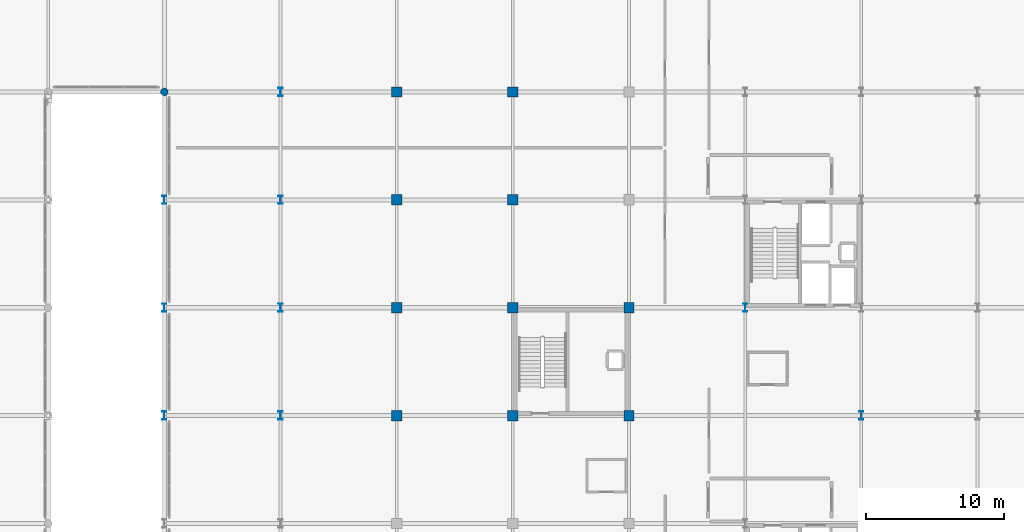
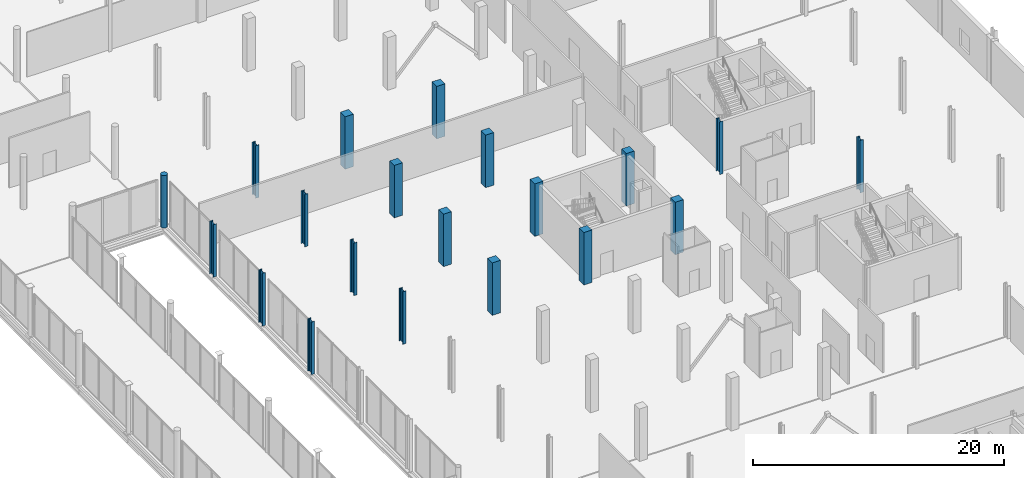
# One storey, part 21 of 105: 20 columns.
"""IFC4 building model written with IfcOpenShell, lengths in metres."""

from ifc_helpers import new_model, si_unit, direction, frame, origin, origin_2d, place, context, subcontext, project, spatial, rectangle, circle, i_section, extrude, material, material_profile, profile_set, type_object, element, save


model = new_model("IFC4")

# Units and contexts
model_context = context("Model", 3, precision=1e-05, world=origin(), true_north=direction((0.0, 1.0)))
body_context = subcontext(model_context, "Body", "Model", "MODEL_VIEW")
ifc_project = project(units=[si_unit("LENGTHUNIT", "METRE"), si_unit("AREAUNIT", "SQUARE_METRE"), si_unit("VOLUMEUNIT", "CUBIC_METRE"), si_unit("PLANEANGLEUNIT", "RADIAN"), si_unit("MASSUNIT", "GRAM", prefix="KILO")], contexts=[model_context])

# Site, building, storey
site_placement = place(None, origin())
site = spatial("IfcSite", under=ifc_project, at=site_placement, CompositionType="ELEMENT")
building_placement = place(site_placement, origin())
building = spatial("IfcBuilding", under=site, at=building_placement, Name="Nabrawat Pavilion Hospital", CompositionType="ELEMENT")
storey_placement = place(building_placement, frame((0.0, 0.0, 5.10009765625)))
storey = spatial("IfcBuildingStorey", under=building, at=storey_placement, Name="L01", CompositionType="ELEMENT", Elevation=5.10009765625)

# Columns
ifc_material_1 = material(Name="Steel S355", Category="steel")
ifc_material_profile_1 = material_profile(ifc_material_1, i_section(OverallWidth=0.300048828125, OverallDepth=0.60009765625, WebThickness=0.015380859375, FlangeThickness=0.030029296875, FilletRadius=0.027099609375, at=origin_2d()), Name="HEB 600")
ifc_profile_set_1 = profile_set([ifc_material_profile_1], Name="Steel S355")
column_type_1 = type_object("IfcColumnType", Name="Composite Steel Column HEB 600", PredefinedType="COLUMN", material=ifc_profile_set_1)
for number, where, z_axis, x_axis, name in (
    (1, (126.0, 62.39990234375, 0.0), (0.0, 0.0, 1.0), (1.0, 0.0, 0.0), "L01 Structural Column G-16A-J"),
    (2, (126.0, 70.199951171875, 0.0), (0.0, 0.0, 1.0), (1.0, 0.0, 0.0), "L01 Structural Column G-16A-K"),
    (3, (126.0, 78.0, 0.0), (0.0, 0.0, 1.0), (1.0, 0.0, 0.0), "L01 Structural Column G-16A-L"),
    (4, (134.39990234375, 62.39990234375, 0.0), (0.0, 0.0, 1.0), (1.0, 0.0, 0.0), "L01 Structural Column G-17-J"),
    (5, (134.39990234375, 70.199951171875, 0.0), (0.0, 0.0, 1.0), (1.0, 0.0, 0.0), "L01 Structural Column G-17-K"),
    (6, (134.39990234375, 78.0, 0.0), (0.0, 0.0, 1.0), (1.0, 0.0, 0.0), "L01 Structural Column G-17-L"),
    (7, (134.39990234375, 85.800048828125, 0.0), (0.0, 0.0, 1.0), (1.0, 0.0, 0.0), "L01 Structural Column G-17-M1"),
    (8, (168.0, 70.199951171875, 0.0), (0.0, 0.0, 1.0), (1.0, 0.0, 0.0), "L01 Structural Column G-21-K"),
    (9, (176.39990234375, 62.39990234375, 0.0), (0.0, 0.0, 1.0), (1.0, 0.0, 0.0), "L01 Structural Column G-22-J"),
):
    element("IfcColumn", number, at=place(storey_placement, frame(where, z_axis=z_axis, x_axis=x_axis)), inside=storey, type_object=column_type_1, Name=name, PredefinedType="COLUMN", context=body_context, shape_type="SweptSolid", body=[
        extrude(i_section(OverallWidth=0.300048828125, OverallDepth=0.60009765625, WebThickness=0.015380859375, FlangeThickness=0.030029296875, FilletRadius=0.027099609375, at=origin_2d()), origin(), (0.0, 0.0, 1.0), 5.099853515625),
    ])
ifc_material_2 = material(Name="Concrete C40/50", Category="concrete")
ifc_material_profile_2 = material_profile(ifc_material_2, circle(Radius=0.27490234375, at=origin_2d()), Name="RC D550")
ifc_profile_set_2 = profile_set([ifc_material_profile_2], Name="Concrete C40/50")
column_type_2 = type_object("IfcColumnType", Name="Diagnostic Circular RC Column D550", PredefinedType="COLUMN", material=ifc_profile_set_2)
column_placement = place(storey_placement, frame((126.0, 85.800048828125, 0.0), z_axis=(0.0, 0.0, 1.0), x_axis=(1.0, 0.0, 0.0)))
element("IfcColumn", 10, at=column_placement, inside=storey, type_object=column_type_2, Name="L01 Structural Column G-16A-M1", PredefinedType="COLUMN", context=body_context, shape_type="SweptSolid", body=[
    extrude(circle(Radius=0.27490234375, at=origin_2d()), origin(), (0.0, 0.0, 1.0), 5.099853515625),
])
ifc_material_profile_3 = material_profile(ifc_material_2, rectangle(XDim=0.75, YDim=0.75, at=origin_2d()), Name="RC 750x750")
ifc_profile_set_3 = profile_set([ifc_material_profile_3], Name="Concrete C40/50")
column_type_3 = type_object("IfcColumnType", Name="Surgical Suite RC Column 750x750", PredefinedType="COLUMN", material=ifc_profile_set_3)
for number, where, z_axis, x_axis, name in (
    (11, (142.800048828125, 62.39990234375, 0.0), (0.0, 0.0, 1.0), (1.0, 0.0, 0.0), "L01 Structural Column G-18-J"),
    (12, (142.800048828125, 70.199951171875, 0.0), (0.0, 0.0, 1.0), (1.0, 0.0, 0.0), "L01 Structural Column G-18-K"),
    (13, (142.800048828125, 78.0, 0.0), (0.0, 0.0, 1.0), (1.0, 0.0, 0.0), "L01 Structural Column G-18-L"),
    (14, (142.800048828125, 85.800048828125, 0.0), (0.0, 0.0, 1.0), (1.0, 0.0, 0.0), "L01 Structural Column G-18-M1"),
    (15, (151.199951171875, 62.39990234375, 0.0), (0.0, 0.0, 1.0), (1.0, 0.0, 0.0), "L01 Structural Column G-19-J"),
    (16, (151.199951171875, 70.199951171875, 0.0), (0.0, 0.0, 1.0), (1.0, 0.0, 0.0), "L01 Structural Column G-19-K"),
    (17, (151.199951171875, 78.0, 0.0), (0.0, 0.0, 1.0), (1.0, 0.0, 0.0), "L01 Structural Column G-19-L"),
    (18, (151.199951171875, 85.800048828125, 0.0), (0.0, 0.0, 1.0), (1.0, 0.0, 0.0), "L01 Structural Column G-19-M1"),
    (19, (159.60009765625, 62.39990234375, 0.0), (0.0, 0.0, 1.0), (1.0, 0.0, 0.0), "L01 Structural Column G-20-J"),
    (20, (159.60009765625, 70.199951171875, 0.0), (0.0, 0.0, 1.0), (1.0, 0.0, 0.0), "L01 Structural Column G-20-K"),
):
    element("IfcColumn", number, at=place(storey_placement, frame(where, z_axis=z_axis, x_axis=x_axis)), inside=storey, type_object=column_type_3, Name=name, PredefinedType="COLUMN", context=body_context, shape_type="SweptSolid", body=[
        extrude(rectangle(XDim=0.75, YDim=0.75, at=origin_2d()), origin(), (0.0, 0.0, 1.0), 5.099853515625),
    ])

save(model, "model.ifc")
